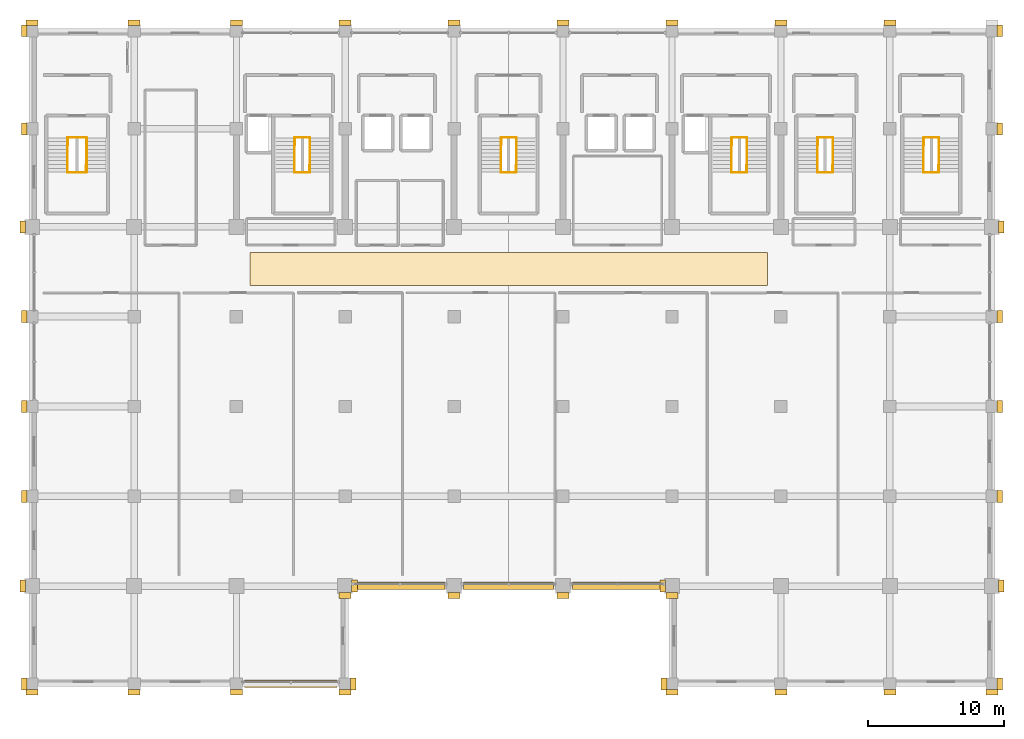
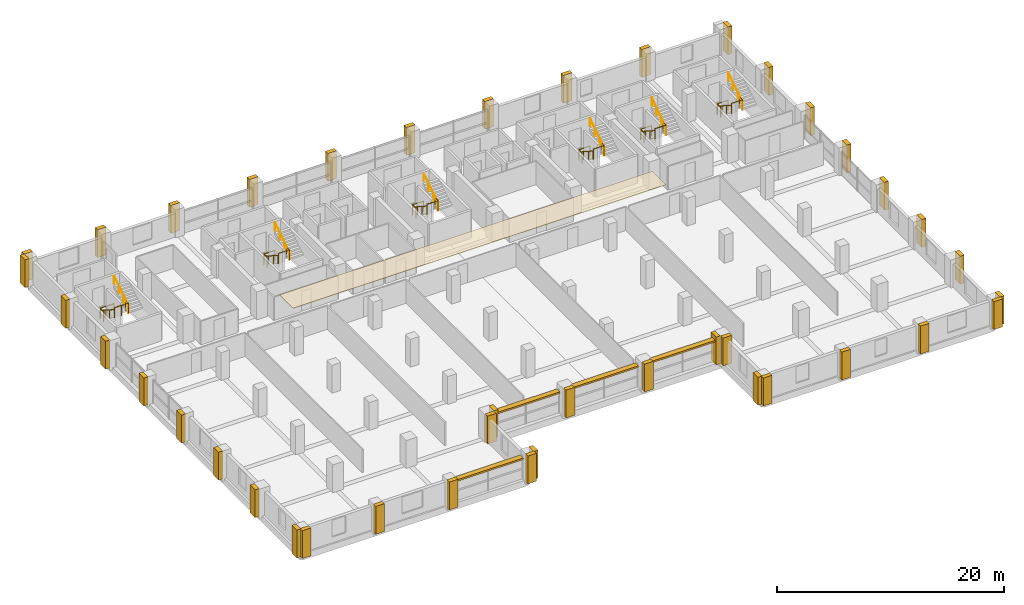
# One storey, part 21 of 22: 42 coverings, 24 railings, 4 shading devices.
"""IFC4 building model written with IfcOpenShell, lengths in metres."""

from ifc_helpers import new_model, si_unit, direction, frame, origin, origin_2d, place, context, subcontext, project, spatial, rectangle, circle, extrude, material, layer, layer_set, type_object, element, save


model = new_model("IFC4")

# Units and contexts
model_context = context("Model", 3, precision=1e-05, world=origin(), true_north=direction((0.0, 1.0)))
body_context = subcontext(model_context, "Body", "Model", "MODEL_VIEW")
ifc_project = project(units=[si_unit("LENGTHUNIT", "METRE"), si_unit("AREAUNIT", "SQUARE_METRE"), si_unit("VOLUMEUNIT", "CUBIC_METRE"), si_unit("PLANEANGLEUNIT", "RADIAN"), si_unit("MASSUNIT", "GRAM", prefix="KILO")], contexts=[model_context])

# Site, building, storey
site_placement = place(None, origin())
site = spatial("IfcSite", under=ifc_project, at=site_placement, CompositionType="ELEMENT")
building_placement = place(site_placement, origin())
building = spatial("IfcBuilding", under=site, at=building_placement, Name="Akrevak Sports Hall", CompositionType="ELEMENT")
storey_placement = place(building_placement, frame((0.0, 0.0, 30.800048828125)))
storey = spatial("IfcBuildingStorey", under=building, at=storey_placement, Name="L06", CompositionType="ELEMENT", Elevation=30.800048828125)

# Coverings
ifc_material_1 = material(Name="Acoustic Timber Slatted Baffle Ceiling", Category="wood")
ifc_layer_1 = layer(ifc_material_1, 0.050048828125, Name="Acoustic Timber Slatted Baffle Ceiling")
ifc_layer_set_1 = layer_set([ifc_layer_1], Name="Acoustic Timber Slatted Baffle Ceiling")
covering_type_1 = type_object("IfcCoveringType", Name="ARC-COV-CLG-BAFF", PredefinedType="CEILING", material=ifc_layer_set_1)
covering_placement = place(storey_placement, frame((80.0, 52.10009765625, 2.94970703125), z_axis=(0.0, 0.0, 1.0), x_axis=(1.0, 0.0, 0.0)))
element("IfcCovering", 1, at=covering_placement, inside=storey, type_object=covering_type_1, Name="Corridor Acoustic Ceiling L06", PredefinedType="CEILING", context=body_context, shape_type="SweptSolid", body=[
    extrude(rectangle(XDim=38.0, YDim=2.39990234375, at=origin_2d()), origin(), (0.0, 0.0, 1.0), 0.050048828125),
])
ifc_material_2 = material(Name="Limestone Ashlar", Category="stone")
ifc_layer_2 = layer(ifc_material_2, 0.47998046875, Name="Limestone Ashlar")
ifc_layer_set_2 = layer_set([ifc_layer_2], Name="Limestone Ashlar")
covering_type_2 = type_object("IfcCoveringType", Name="ARC-COV-PIL-LIM", PredefinedType="CLADDING", material=ifc_layer_set_2)
for number, where, z_axis, x_axis, name in (
    (2, (45.0, 21.02001953125, 0.0), (0.0, 0.0, 1.0), (1.0, 0.0, 0.0), "Giant-Order Limestone Pilaster L06-01-01"),
    (3, (52.5, 21.02001953125, 0.0), (0.0, 0.0, 1.0), (1.0, 0.0, 0.0), "Giant-Order Limestone Pilaster L06-01-02"),
    (4, (60.0, 21.02001953125, 0.0), (0.0, 0.0, 1.0), (1.0, 0.0, 0.0), "Giant-Order Limestone Pilaster L06-01-03"),
    (5, (68.0, 21.02001953125, 0.0), (0.0, 0.0, 1.0), (1.0, 0.0, 0.0), "Giant-Order Limestone Pilaster L06-01-04"),
    (6, (68.580078125, 21.60009765625, 0.0), (0.0, 0.0, 1.0), (0.0, 1.0, 0.0), "Giant-Order Limestone Pilaster L06-02-04"),
    (7, (68.679931640625, 28.800048828125, 0.0), (0.0, 0.0, 1.0), (0.0, 1.0, 0.0), "Giant-Order Limestone Pilaster L06-02-05"),
    (8, (68.0, 28.1201171875, 0.0), (0.0, 0.0, 1.0), (1.0, 0.0, 0.0), "Giant-Order Limestone Pilaster L06-03-05"),
    (9, (76.0, 28.1201171875, 0.0), (0.0, 0.0, 1.0), (1.0, 0.0, 0.0), "Giant-Order Limestone Pilaster L06-03-06"),
    (10, (84.0, 28.1201171875, 0.0), (0.0, 0.0, 1.0), (1.0, 0.0, 0.0), "Giant-Order Limestone Pilaster L06-03-07"),
    (11, (92.0, 28.1201171875, 0.0), (0.0, 0.0, 1.0), (1.0, 0.0, 0.0), "Giant-Order Limestone Pilaster L06-03-08"),
    (12, (91.419921875, 21.60009765625, 0.0), (0.0, 0.0, 1.0), (0.0, -1.0, 0.0), "Giant-Order Limestone Pilaster L06-04-09"),
    (13, (91.320068359375, 28.800048828125, 0.0), (0.0, 0.0, 1.0), (0.0, -1.0, 0.0), "Giant-Order Limestone Pilaster L06-04-09"),
    (14, (92.0, 21.02001953125, 0.0), (0.0, 0.0, 1.0), (1.0, 0.0, 0.0), "Giant-Order Limestone Pilaster L06-05-09"),
    (15, (100.0, 21.02001953125, 0.0), (0.0, 0.0, 1.0), (1.0, 0.0, 0.0), "Giant-Order Limestone Pilaster L06-05-10"),
    (16, (108.0, 21.02001953125, 0.0), (0.0, 0.0, 1.0), (1.0, 0.0, 0.0), "Giant-Order Limestone Pilaster L06-05-11"),
    (17, (115.5, 21.02001953125, 0.0), (0.0, 0.0, 1.0), (1.0, 0.0, 0.0), "Giant-Order Limestone Pilaster L06-05-12"),
    (18, (116.080078125, 21.60009765625, 0.0), (0.0, 0.0, 1.0), (0.0, 1.0, 0.0), "Giant-Order Limestone Pilaster L06-06-12"),
    (19, (116.179931640625, 28.800048828125, 0.0), (0.0, 0.0, 1.0), (0.0, 1.0, 0.0), "Giant-Order Limestone Pilaster L06-06-13"),
    (20, (116.080078125, 35.39990234375, 0.0), (0.0, 0.0, 1.0), (0.0, 1.0, 0.0), "Giant-Order Limestone Pilaster L06-06-14"),
    (21, (116.080078125, 42.0, 0.0), (0.0, 0.0, 1.0), (0.0, 1.0, 0.0), "Giant-Order Limestone Pilaster L06-06-15"),
    (22, (116.080078125, 48.60009765625, 0.0), (0.0, 0.0, 1.0), (0.0, 1.0, 0.0), "Giant-Order Limestone Pilaster L06-06-16"),
    (23, (116.179931640625, 55.199951171875, 0.0), (0.0, 0.0, 1.0), (0.0, 1.0, 0.0), "Giant-Order Limestone Pilaster L06-06-17"),
    (24, (116.080078125, 62.39990234375, 0.0), (0.0, 0.0, 1.0), (0.0, 1.0, 0.0), "Giant-Order Limestone Pilaster L06-06-18"),
    (25, (116.080078125, 69.60009765625, 0.0), (0.0, 0.0, 1.0), (0.0, 1.0, 0.0), "Giant-Order Limestone Pilaster L06-06-19"),
    (26, (45.0, 70.179931640625, 0.0), (0.0, 0.0, 1.0), (-1.0, 0.0, 0.0), "Giant-Order Limestone Pilaster L06-07-20"),
    (27, (52.5, 70.179931640625, 0.0), (0.0, 0.0, 1.0), (-1.0, 0.0, 0.0), "Giant-Order Limestone Pilaster L06-07-21"),
    (28, (60.0, 70.179931640625, 0.0), (0.0, 0.0, 1.0), (-1.0, 0.0, 0.0), "Giant-Order Limestone Pilaster L06-07-22"),
    (29, (68.0, 70.179931640625, 0.0), (0.0, 0.0, 1.0), (-1.0, 0.0, 0.0), "Giant-Order Limestone Pilaster L06-07-23"),
    (30, (76.0, 70.179931640625, 0.0), (0.0, 0.0, 1.0), (-1.0, 0.0, 0.0), "Giant-Order Limestone Pilaster L06-07-24"),
    (31, (84.0, 70.179931640625, 0.0), (0.0, 0.0, 1.0), (-1.0, 0.0, 0.0), "Giant-Order Limestone Pilaster L06-07-25"),
    (32, (92.0, 70.179931640625, 0.0), (0.0, 0.0, 1.0), (-1.0, 0.0, 0.0), "Giant-Order Limestone Pilaster L06-07-26"),
    (33, (100.0, 70.179931640625, 0.0), (0.0, 0.0, 1.0), (-1.0, 0.0, 0.0), "Giant-Order Limestone Pilaster L06-07-27"),
    (34, (108.0, 70.179931640625, 0.0), (0.0, 0.0, 1.0), (-1.0, 0.0, 0.0), "Giant-Order Limestone Pilaster L06-07-28"),
    (35, (44.419921875, 21.60009765625, 0.0), (0.0, 0.0, 1.0), (0.0, -1.0, 0.0), "Giant-Order Limestone Pilaster L06-08-28"),
    (36, (44.320068359375, 28.800048828125, 0.0), (0.0, 0.0, 1.0), (0.0, -1.0, 0.0), "Giant-Order Limestone Pilaster L06-08-29"),
    (37, (44.419921875, 35.39990234375, 0.0), (0.0, 0.0, 1.0), (0.0, -1.0, 0.0), "Giant-Order Limestone Pilaster L06-08-30"),
    (38, (44.419921875, 42.0, 0.0), (0.0, 0.0, 1.0), (0.0, -1.0, 0.0), "Giant-Order Limestone Pilaster L06-08-31"),
    (39, (44.419921875, 48.60009765625, 0.0), (0.0, 0.0, 1.0), (0.0, -1.0, 0.0), "Giant-Order Limestone Pilaster L06-08-32"),
    (40, (44.320068359375, 55.199951171875, 0.0), (0.0, 0.0, 1.0), (0.0, -1.0, 0.0), "Giant-Order Limestone Pilaster L06-08-33"),
    (41, (44.419921875, 62.39990234375, 0.0), (0.0, 0.0, 1.0), (0.0, -1.0, 0.0), "Giant-Order Limestone Pilaster L06-08-34"),
    (42, (44.419921875, 69.60009765625, 0.0), (0.0, 0.0, 1.0), (0.0, -1.0, 0.0), "Giant-Order Limestone Pilaster L06-08-34"),
):
    element("IfcCovering", number, at=place(storey_placement, frame(where, z_axis=z_axis, x_axis=x_axis)), inside=storey, type_object=covering_type_2, Name=name, PredefinedType="CLADDING", context=body_context, shape_type="SweptSolid", body=[
        extrude(rectangle(XDim=0.8798828125, YDim=0.419921875, at=origin_2d()), origin(), (0.0, 0.0, 1.0), 3.0),
    ])

# Railings
ifc_material_3 = material(Name="Painted Architectural Balustrade Steel", Category="steel")
ifc_layer_3 = layer(ifc_material_3, 0.06005859375, Name="Painted Architectural Balustrade Steel")
ifc_layer_set_3 = layer_set([ifc_layer_3], Name="Painted Architectural Balustrade Steel")
railing_type_1 = type_object("IfcRailingType", Name="ARC-RL-GRD-1120", PredefinedType="GUARDRAIL", material=ifc_layer_set_3)
railing_1_placement = place(storey_placement, frame((64.31005859375, 61.215087890625, 0.0)))
element("IfcRailing", 43, at=railing_1_placement, inside=storey, type_object=railing_type_1, Name="Stair Floor Landing Well Guard ST1 (L06)", PredefinedType="GUARDRAIL", context=body_context, shape_type="SweptSolid", body=[
    extrude(circle(Radius=0.02392578125, at=origin_2d()), frame((0.0, 0.0, 1.09619140625), z_axis=(0.0, 1.0, 0.0), x_axis=(-1.0, 0.0, 0.0)), (0.0, 0.0, 1.0), 0.5498046875),
    extrude(circle(Radius=0.02392578125, at=origin_2d()), frame((0.0, 0.5498046875, 1.09619140625), z_axis=(1.0, 0.0, 0.0), x_axis=(0.0, 1.0, 0.0)), (0.0, 0.0, 1.0), 1.10986328125),
    extrude(circle(Radius=0.02099609375, at=origin_2d()), origin(), (0.0, 0.0, 1.0), 1.072021484375),
    extrude(circle(Radius=0.02099609375, at=origin_2d()), frame((0.0, 0.5498046875, 0.0)), (0.0, 0.0, 1.0), 1.072021484375),
    extrude(circle(Radius=0.02099609375, at=origin_2d()), frame((1.10986328125, 0.5498046875, 0.0)), (0.0, 0.0, 1.0), 1.072021484375),
])
railing_2_placement = place(storey_placement, frame((64.280029296875, 59.18505859375, 1.625)))
element("IfcRailing", 44, at=railing_2_placement, inside=storey, type_object=railing_type_1, Name="Stair Landing Well Guard ST1-L06-1", PredefinedType="GUARDRAIL", context=body_context, shape_type="SweptSolid", body=[
    extrude(circle(Radius=0.02392578125, at=origin_2d()), frame((0.0, 0.0, 1.09619140625), z_axis=(1.0, 0.0, 0.0), x_axis=(0.0, 1.0, 0.0)), (0.0, 0.0, 1.0), 1.10986328125),
    extrude(circle(Radius=0.02392578125, at=origin_2d()), frame((1.10986328125, 0.0, 1.09619140625), z_axis=(0.0, 1.0, 0.0), x_axis=(-1.0, 0.0, 0.0)), (0.0, 0.0, 1.0), 0.52001953125),
    extrude(circle(Radius=0.02099609375, at=origin_2d()), origin(), (0.0, 0.0, 1.0), 1.072021484375),
    extrude(circle(Radius=0.02099609375, at=origin_2d()), frame((1.10986328125, 0.0, 0.0)), (0.0, 0.0, 1.0), 1.072021484375),
    extrude(circle(Radius=0.02099609375, at=origin_2d()), frame((1.10986328125, 0.52001953125, 0.0)), (0.0, 0.0, 1.0), 1.072021484375),
])
railing_3_placement = place(storey_placement, frame((96.409912109375, 61.215087890625, 0.0)))
element("IfcRailing", 45, at=railing_3_placement, inside=storey, type_object=railing_type_1, Name="Stair Floor Landing Well Guard ST2 (L06)", PredefinedType="GUARDRAIL", context=body_context, shape_type="SweptSolid", body=[
    extrude(circle(Radius=0.02392578125, at=origin_2d()), frame((0.0, 0.0, 1.09619140625), z_axis=(0.0, 1.0, 0.0), x_axis=(-1.0, 0.0, 0.0)), (0.0, 0.0, 1.0), 0.5498046875),
    extrude(circle(Radius=0.02392578125, at=origin_2d()), frame((0.0, 0.5498046875, 1.09619140625), z_axis=(1.0, 0.0, 0.0), x_axis=(0.0, 1.0, 0.0)), (0.0, 0.0, 1.0), 1.110107421875),
    extrude(circle(Radius=0.02099609375, at=origin_2d()), origin(), (0.0, 0.0, 1.0), 1.072021484375),
    extrude(circle(Radius=0.02099609375, at=origin_2d()), frame((0.0, 0.5498046875, 0.0)), (0.0, 0.0, 1.0), 1.072021484375),
    extrude(circle(Radius=0.02099609375, at=origin_2d()), frame((1.110107421875, 0.5498046875, 0.0)), (0.0, 0.0, 1.0), 1.072021484375),
])
railing_4_placement = place(storey_placement, frame((96.3798828125, 59.18505859375, 1.625)))
element("IfcRailing", 46, at=railing_4_placement, inside=storey, type_object=railing_type_1, Name="Stair Landing Well Guard ST2-L06-1", PredefinedType="GUARDRAIL", context=body_context, shape_type="SweptSolid", body=[
    extrude(circle(Radius=0.02392578125, at=origin_2d()), frame((0.0, 0.0, 1.09619140625), z_axis=(1.0, 0.0, 0.0), x_axis=(0.0, 1.0, 0.0)), (0.0, 0.0, 1.0), 1.110107421875),
    extrude(circle(Radius=0.02392578125, at=origin_2d()), frame((1.110107421875, 0.0, 1.09619140625), z_axis=(0.0, 1.0, 0.0), x_axis=(-1.0, 0.0, 0.0)), (0.0, 0.0, 1.0), 0.52001953125),
    extrude(circle(Radius=0.02099609375, at=origin_2d()), origin(), (0.0, 0.0, 1.0), 1.072021484375),
    extrude(circle(Radius=0.02099609375, at=origin_2d()), frame((1.110107421875, 0.0, 0.0)), (0.0, 0.0, 1.0), 1.072021484375),
    extrude(circle(Radius=0.02099609375, at=origin_2d()), frame((1.110107421875, 0.52001953125, 0.0)), (0.0, 0.0, 1.0), 1.072021484375),
])
railing_5_placement = place(storey_placement, frame((79.4599609375, 61.215087890625, 0.0)))
element("IfcRailing", 47, at=railing_5_placement, inside=storey, type_object=railing_type_1, Name="Stair Floor Landing Well Guard ST3 (L06)", PredefinedType="GUARDRAIL", context=body_context, shape_type="SweptSolid", body=[
    extrude(circle(Radius=0.02392578125, at=origin_2d()), frame((0.0, 0.0, 1.09619140625), z_axis=(0.0, 1.0, 0.0), x_axis=(-1.0, 0.0, 0.0)), (0.0, 0.0, 1.0), 0.5498046875),
    extrude(circle(Radius=0.02392578125, at=origin_2d()), frame((0.0, 0.5498046875, 1.09619140625), z_axis=(1.0, 0.0, 0.0), x_axis=(0.0, 1.0, 0.0)), (0.0, 0.0, 1.0), 1.110107421875),
    extrude(circle(Radius=0.02099609375, at=origin_2d()), origin(), (0.0, 0.0, 1.0), 1.072021484375),
    extrude(circle(Radius=0.02099609375, at=origin_2d()), frame((0.0, 0.5498046875, 0.0)), (0.0, 0.0, 1.0), 1.072021484375),
    extrude(circle(Radius=0.02099609375, at=origin_2d()), frame((1.110107421875, 0.5498046875, 0.0)), (0.0, 0.0, 1.0), 1.072021484375),
])
railing_6_placement = place(storey_placement, frame((79.429931640625, 59.18505859375, 1.625)))
element("IfcRailing", 48, at=railing_6_placement, inside=storey, type_object=railing_type_1, Name="Stair Landing Well Guard ST3-L06-1", PredefinedType="GUARDRAIL", context=body_context, shape_type="SweptSolid", body=[
    extrude(circle(Radius=0.02392578125, at=origin_2d()), frame((0.0, 0.0, 1.09619140625), z_axis=(1.0, 0.0, 0.0), x_axis=(0.0, 1.0, 0.0)), (0.0, 0.0, 1.0), 1.110107421875),
    extrude(circle(Radius=0.02392578125, at=origin_2d()), frame((1.110107421875, 0.0, 1.09619140625), z_axis=(0.0, 1.0, 0.0), x_axis=(-1.0, 0.0, 0.0)), (0.0, 0.0, 1.0), 0.52001953125),
    extrude(circle(Radius=0.02099609375, at=origin_2d()), origin(), (0.0, 0.0, 1.0), 1.072021484375),
    extrude(circle(Radius=0.02099609375, at=origin_2d()), frame((1.110107421875, 0.0, 0.0)), (0.0, 0.0, 1.0), 1.072021484375),
    extrude(circle(Radius=0.02099609375, at=origin_2d()), frame((1.110107421875, 0.52001953125, 0.0)), (0.0, 0.0, 1.0), 1.072021484375),
])
railing_7_placement = place(storey_placement, frame((47.6201171875, 61.215087890625, 0.0)))
element("IfcRailing", 49, at=railing_7_placement, inside=storey, type_object=railing_type_1, Name="Stair Floor Landing Well Guard ST4 (L06)", PredefinedType="GUARDRAIL", context=body_context, shape_type="SweptSolid", body=[
    extrude(circle(Radius=0.02392578125, at=origin_2d()), frame((0.0, 0.0, 1.09619140625), z_axis=(0.0, 1.0, 0.0), x_axis=(-1.0, 0.0, 0.0)), (0.0, 0.0, 1.0), 0.5498046875),
    extrude(circle(Radius=0.02392578125, at=origin_2d()), frame((0.0, 0.5498046875, 1.09619140625), z_axis=(1.0, 0.0, 0.0), x_axis=(0.0, 1.0, 0.0)), (0.0, 0.0, 1.0), 1.389892578125),
    extrude(circle(Radius=0.02099609375, at=origin_2d()), origin(), (0.0, 0.0, 1.0), 1.072021484375),
    extrude(circle(Radius=0.02099609375, at=origin_2d()), frame((0.0, 0.5498046875, 0.0)), (0.0, 0.0, 1.0), 1.072021484375),
    extrude(circle(Radius=0.02099609375, at=origin_2d()), frame((0.69482421875, 0.5498046875, 0.0)), (0.0, 0.0, 1.0), 1.072021484375),
    extrude(circle(Radius=0.02099609375, at=origin_2d()), frame((1.389892578125, 0.5498046875, 0.0)), (0.0, 0.0, 1.0), 1.072021484375),
])
railing_8_placement = place(storey_placement, frame((47.590087890625, 59.18505859375, 1.625)))
element("IfcRailing", 50, at=railing_8_placement, inside=storey, type_object=railing_type_1, Name="Stair Landing Well Guard ST4-L06-1", PredefinedType="GUARDRAIL", context=body_context, shape_type="SweptSolid", body=[
    extrude(circle(Radius=0.02392578125, at=origin_2d()), frame((0.0, 0.0, 1.09619140625), z_axis=(1.0, 0.0, 0.0), x_axis=(0.0, 1.0, 0.0)), (0.0, 0.0, 1.0), 1.389892578125),
    extrude(circle(Radius=0.02392578125, at=origin_2d()), frame((1.389892578125, 0.0, 1.09619140625), z_axis=(0.0, 1.0, 0.0), x_axis=(-1.0, 0.0, 0.0)), (0.0, 0.0, 1.0), 0.52001953125),
    extrude(circle(Radius=0.02099609375, at=origin_2d()), origin(), (0.0, 0.0, 1.0), 1.072021484375),
    extrude(circle(Radius=0.02099609375, at=origin_2d()), frame((0.69482421875, 0.0, 0.0)), (0.0, 0.0, 1.0), 1.072021484375),
    extrude(circle(Radius=0.02099609375, at=origin_2d()), frame((1.389892578125, 0.0, 0.0)), (0.0, 0.0, 1.0), 1.072021484375),
    extrude(circle(Radius=0.02099609375, at=origin_2d()), frame((1.389892578125, 0.52001953125, 0.0)), (0.0, 0.0, 1.0), 1.072021484375),
])
railing_9_placement = place(storey_placement, frame((102.7099609375, 61.215087890625, 0.0)))
element("IfcRailing", 51, at=railing_9_placement, inside=storey, type_object=railing_type_1, Name="Stair Floor Landing Well Guard ST10 (L06)", PredefinedType="GUARDRAIL", context=body_context, shape_type="SweptSolid", body=[
    extrude(circle(Radius=0.02392578125, at=origin_2d()), frame((0.0, 0.0, 1.09619140625), z_axis=(0.0, 1.0, 0.0), x_axis=(-1.0, 0.0, 0.0)), (0.0, 0.0, 1.0), 0.5498046875),
    extrude(circle(Radius=0.02392578125, at=origin_2d()), frame((0.0, 0.5498046875, 1.09619140625), z_axis=(1.0, 0.0, 0.0), x_axis=(0.0, 1.0, 0.0)), (0.0, 0.0, 1.0), 1.110107421875),
    extrude(circle(Radius=0.02099609375, at=origin_2d()), origin(), (0.0, 0.0, 1.0), 1.072021484375),
    extrude(circle(Radius=0.02099609375, at=origin_2d()), frame((0.0, 0.5498046875, 0.0)), (0.0, 0.0, 1.0), 1.072021484375),
    extrude(circle(Radius=0.02099609375, at=origin_2d()), frame((1.110107421875, 0.5498046875, 0.0)), (0.0, 0.0, 1.0), 1.072021484375),
])
railing_10_placement = place(storey_placement, frame((102.679931640625, 59.18505859375, 1.625)))
element("IfcRailing", 52, at=railing_10_placement, inside=storey, type_object=railing_type_1, Name="Stair Landing Well Guard ST10-L06-1", PredefinedType="GUARDRAIL", context=body_context, shape_type="SweptSolid", body=[
    extrude(circle(Radius=0.02392578125, at=origin_2d()), frame((0.0, 0.0, 1.09619140625), z_axis=(1.0, 0.0, 0.0), x_axis=(0.0, 1.0, 0.0)), (0.0, 0.0, 1.0), 1.110107421875),
    extrude(circle(Radius=0.02392578125, at=origin_2d()), frame((1.110107421875, 0.0, 1.09619140625), z_axis=(0.0, 1.0, 0.0), x_axis=(-1.0, 0.0, 0.0)), (0.0, 0.0, 1.0), 0.52001953125),
    extrude(circle(Radius=0.02099609375, at=origin_2d()), origin(), (0.0, 0.0, 1.0), 1.072021484375),
    extrude(circle(Radius=0.02099609375, at=origin_2d()), frame((1.110107421875, 0.0, 0.0)), (0.0, 0.0, 1.0), 1.072021484375),
    extrude(circle(Radius=0.02099609375, at=origin_2d()), frame((1.110107421875, 0.52001953125, 0.0)), (0.0, 0.0, 1.0), 1.072021484375),
])
railing_11_placement = place(storey_placement, frame((110.510009765625, 61.215087890625, 0.0)))
element("IfcRailing", 53, at=railing_11_placement, inside=storey, type_object=railing_type_1, Name="Stair Floor Landing Well Guard ST11 (L06)", PredefinedType="GUARDRAIL", context=body_context, shape_type="SweptSolid", body=[
    extrude(circle(Radius=0.02392578125, at=origin_2d()), frame((0.0, 0.0, 1.09619140625), z_axis=(0.0, 1.0, 0.0), x_axis=(-1.0, 0.0, 0.0)), (0.0, 0.0, 1.0), 0.5498046875),
    extrude(circle(Radius=0.02392578125, at=origin_2d()), frame((0.0, 0.5498046875, 1.09619140625), z_axis=(1.0, 0.0, 0.0), x_axis=(0.0, 1.0, 0.0)), (0.0, 0.0, 1.0), 1.110107421875),
    extrude(circle(Radius=0.02099609375, at=origin_2d()), origin(), (0.0, 0.0, 1.0), 1.072021484375),
    extrude(circle(Radius=0.02099609375, at=origin_2d()), frame((0.0, 0.5498046875, 0.0)), (0.0, 0.0, 1.0), 1.072021484375),
    extrude(circle(Radius=0.02099609375, at=origin_2d()), frame((1.110107421875, 0.5498046875, 0.0)), (0.0, 0.0, 1.0), 1.072021484375),
])
railing_12_placement = place(storey_placement, frame((110.47998046875, 59.18505859375, 1.625)))
element("IfcRailing", 54, at=railing_12_placement, inside=storey, type_object=railing_type_1, Name="Stair Landing Well Guard ST11-L06-1", PredefinedType="GUARDRAIL", context=body_context, shape_type="SweptSolid", body=[
    extrude(circle(Radius=0.02392578125, at=origin_2d()), frame((0.0, 0.0, 1.09619140625), z_axis=(1.0, 0.0, 0.0), x_axis=(0.0, 1.0, 0.0)), (0.0, 0.0, 1.0), 1.110107421875),
    extrude(circle(Radius=0.02392578125, at=origin_2d()), frame((1.110107421875, 0.0, 1.09619140625), z_axis=(0.0, 1.0, 0.0), x_axis=(-1.0, 0.0, 0.0)), (0.0, 0.0, 1.0), 0.52001953125),
    extrude(circle(Radius=0.02099609375, at=origin_2d()), origin(), (0.0, 0.0, 1.0), 1.072021484375),
    extrude(circle(Radius=0.02099609375, at=origin_2d()), frame((1.110107421875, 0.0, 0.0)), (0.0, 0.0, 1.0), 1.072021484375),
    extrude(circle(Radius=0.02099609375, at=origin_2d()), frame((1.110107421875, 0.52001953125, 0.0)), (0.0, 0.0, 1.0), 1.072021484375),
])
ifc_material_4 = material(Name="Brushed Stainless Steel 304", Category="steel")
ifc_layer_4 = layer(ifc_material_4, 0.050048828125, Name="Brushed Stainless Steel 304")
ifc_layer_set_4 = layer_set([ifc_layer_4], Name="Brushed Stainless Steel 304")
railing_type_2 = type_object("IfcRailingType", Name="ARC-RL-HND-900", PredefinedType="HANDRAIL", material=ifc_layer_set_4)
railing_13_placement = place(storey_placement, frame((64.280029296875, 61.735107421875, 0.0)))
element("IfcRailing", 55, at=railing_13_placement, inside=storey, type_object=railing_type_2, Name="Stair Handrail ST1-L06-F1", PredefinedType="HANDRAIL", context=body_context, shape_type="SweptSolid", body=[
    extrude(circle(Radius=0.02392578125, at=origin_2d()), frame((0.0, 0.0, 0.8759765625), z_axis=(0.0, -0.840421059866, 0.541933983188), x_axis=(1.0, 0.0, 0.0)), (0.0, 0.0, 1.0), 2.99853515625),
    extrude(circle(Radius=0.02099609375, at=origin_2d()), origin(), (0.0, 0.0, 1.0), 0.851806640625),
    extrude(circle(Radius=0.02099609375, at=origin_2d()), frame((0.0, -0.840087890625, 0.541748046875)), (0.0, 0.0, 1.0), 0.851806640625),
    extrude(circle(Radius=0.02099609375, at=origin_2d()), frame((0.0, -1.679931640625, 1.083251953125)), (0.0, 0.0, 1.0), 0.851806640625),
    extrude(circle(Radius=0.02099609375, at=origin_2d()), frame((0.0, -2.52001953125, 1.625)), (0.0, 0.0, 1.0), 0.851806640625),
])
railing_14_placement = place(storey_placement, frame((65.419921875, 59.215087890625, 1.625)))
element("IfcRailing", 56, at=railing_14_placement, inside=storey, type_object=railing_type_2, Name="Stair Handrail ST1-L06-F2", PredefinedType="HANDRAIL", context=body_context, shape_type="SweptSolid", body=[
    extrude(circle(Radius=0.02392578125, at=origin_2d()), frame((0.0, 0.0, 0.8759765625), z_axis=(0.0, 0.840421059866, 0.541933983188), x_axis=(-1.0, 0.0, 0.0)), (0.0, 0.0, 1.0), 2.99853515625),
    extrude(circle(Radius=0.02099609375, at=origin_2d()), origin(), (0.0, 0.0, 1.0), 0.851806640625),
    extrude(circle(Radius=0.02099609375, at=origin_2d()), frame((0.0, 0.840087890625, 0.541748046875)), (0.0, 0.0, 1.0), 0.851806640625),
    extrude(circle(Radius=0.02099609375, at=origin_2d()), frame((0.0, 1.679931640625, 1.083251953125)), (0.0, 0.0, 1.0), 0.851806640625),
    extrude(circle(Radius=0.02099609375, at=origin_2d()), frame((0.0, 2.52001953125, 1.625)), (0.0, 0.0, 1.0), 0.851806640625),
])
railing_15_placement = place(storey_placement, frame((96.3798828125, 61.735107421875, 0.0)))
element("IfcRailing", 57, at=railing_15_placement, inside=storey, type_object=railing_type_2, Name="Stair Handrail ST2-L06-F1", PredefinedType="HANDRAIL", context=body_context, shape_type="SweptSolid", body=[
    extrude(circle(Radius=0.02392578125, at=origin_2d()), frame((0.0, 0.0, 0.8759765625), z_axis=(0.0, -0.840421059866, 0.541933983188), x_axis=(1.0, 0.0, 0.0)), (0.0, 0.0, 1.0), 2.99853515625),
    extrude(circle(Radius=0.02099609375, at=origin_2d()), origin(), (0.0, 0.0, 1.0), 0.851806640625),
    extrude(circle(Radius=0.02099609375, at=origin_2d()), frame((0.0, -0.840087890625, 0.541748046875)), (0.0, 0.0, 1.0), 0.851806640625),
    extrude(circle(Radius=0.02099609375, at=origin_2d()), frame((0.0, -1.679931640625, 1.083251953125)), (0.0, 0.0, 1.0), 0.851806640625),
    extrude(circle(Radius=0.02099609375, at=origin_2d()), frame((0.0, -2.52001953125, 1.625)), (0.0, 0.0, 1.0), 0.851806640625),
])
railing_16_placement = place(storey_placement, frame((97.52001953125, 59.215087890625, 1.625)))
element("IfcRailing", 58, at=railing_16_placement, inside=storey, type_object=railing_type_2, Name="Stair Handrail ST2-L06-F2", PredefinedType="HANDRAIL", context=body_context, shape_type="SweptSolid", body=[
    extrude(circle(Radius=0.02392578125, at=origin_2d()), frame((0.0, 0.0, 0.8759765625), z_axis=(0.0, 0.840421059866, 0.541933983188), x_axis=(-1.0, 0.0, 0.0)), (0.0, 0.0, 1.0), 2.99853515625),
    extrude(circle(Radius=0.02099609375, at=origin_2d()), origin(), (0.0, 0.0, 1.0), 0.851806640625),
    extrude(circle(Radius=0.02099609375, at=origin_2d()), frame((0.0, 0.840087890625, 0.541748046875)), (0.0, 0.0, 1.0), 0.851806640625),
    extrude(circle(Radius=0.02099609375, at=origin_2d()), frame((0.0, 1.679931640625, 1.083251953125)), (0.0, 0.0, 1.0), 0.851806640625),
    extrude(circle(Radius=0.02099609375, at=origin_2d()), frame((0.0, 2.52001953125, 1.625)), (0.0, 0.0, 1.0), 0.851806640625),
])
railing_17_placement = place(storey_placement, frame((79.429931640625, 61.735107421875, 0.0)))
element("IfcRailing", 59, at=railing_17_placement, inside=storey, type_object=railing_type_2, Name="Stair Handrail ST3-L06-F1", PredefinedType="HANDRAIL", context=body_context, shape_type="SweptSolid", body=[
    extrude(circle(Radius=0.02392578125, at=origin_2d()), frame((0.0, 0.0, 0.8759765625), z_axis=(0.0, -0.840421059866, 0.541933983188), x_axis=(1.0, 0.0, 0.0)), (0.0, 0.0, 1.0), 2.99853515625),
    extrude(circle(Radius=0.02099609375, at=origin_2d()), origin(), (0.0, 0.0, 1.0), 0.851806640625),
    extrude(circle(Radius=0.02099609375, at=origin_2d()), frame((0.0, -0.840087890625, 0.541748046875)), (0.0, 0.0, 1.0), 0.851806640625),
    extrude(circle(Radius=0.02099609375, at=origin_2d()), frame((0.0, -1.679931640625, 1.083251953125)), (0.0, 0.0, 1.0), 0.851806640625),
    extrude(circle(Radius=0.02099609375, at=origin_2d()), frame((0.0, -2.52001953125, 1.625)), (0.0, 0.0, 1.0), 0.851806640625),
])
railing_18_placement = place(storey_placement, frame((80.570068359375, 59.215087890625, 1.625)))
element("IfcRailing", 60, at=railing_18_placement, inside=storey, type_object=railing_type_2, Name="Stair Handrail ST3-L06-F2", PredefinedType="HANDRAIL", context=body_context, shape_type="SweptSolid", body=[
    extrude(circle(Radius=0.02392578125, at=origin_2d()), frame((0.0, 0.0, 0.8759765625), z_axis=(0.0, 0.840421059866, 0.541933983188), x_axis=(-1.0, 0.0, 0.0)), (0.0, 0.0, 1.0), 2.99853515625),
    extrude(circle(Radius=0.02099609375, at=origin_2d()), origin(), (0.0, 0.0, 1.0), 0.851806640625),
    extrude(circle(Radius=0.02099609375, at=origin_2d()), frame((0.0, 0.840087890625, 0.541748046875)), (0.0, 0.0, 1.0), 0.851806640625),
    extrude(circle(Radius=0.02099609375, at=origin_2d()), frame((0.0, 1.679931640625, 1.083251953125)), (0.0, 0.0, 1.0), 0.851806640625),
    extrude(circle(Radius=0.02099609375, at=origin_2d()), frame((0.0, 2.52001953125, 1.625)), (0.0, 0.0, 1.0), 0.851806640625),
])
railing_19_placement = place(storey_placement, frame((47.590087890625, 61.735107421875, 0.0)))
element("IfcRailing", 61, at=railing_19_placement, inside=storey, type_object=railing_type_2, Name="Stair Handrail ST4-L06-F1", PredefinedType="HANDRAIL", context=body_context, shape_type="SweptSolid", body=[
    extrude(circle(Radius=0.02392578125, at=origin_2d()), frame((0.0, 0.0, 0.8759765625), z_axis=(0.0, -0.840421059866, 0.541933983188), x_axis=(1.0, 0.0, 0.0)), (0.0, 0.0, 1.0), 2.99853515625),
    extrude(circle(Radius=0.02099609375, at=origin_2d()), origin(), (0.0, 0.0, 1.0), 0.851806640625),
    extrude(circle(Radius=0.02099609375, at=origin_2d()), frame((0.0, -0.840087890625, 0.541748046875)), (0.0, 0.0, 1.0), 0.851806640625),
    extrude(circle(Radius=0.02099609375, at=origin_2d()), frame((0.0, -1.679931640625, 1.083251953125)), (0.0, 0.0, 1.0), 0.851806640625),
    extrude(circle(Radius=0.02099609375, at=origin_2d()), frame((0.0, -2.52001953125, 1.625)), (0.0, 0.0, 1.0), 0.851806640625),
])
railing_20_placement = place(storey_placement, frame((49.010009765625, 59.215087890625, 1.625)))
element("IfcRailing", 62, at=railing_20_placement, inside=storey, type_object=railing_type_2, Name="Stair Handrail ST4-L06-F2", PredefinedType="HANDRAIL", context=body_context, shape_type="SweptSolid", body=[
    extrude(circle(Radius=0.02392578125, at=origin_2d()), frame((0.0, 0.0, 0.8759765625), z_axis=(0.0, 0.840421059866, 0.541933983188), x_axis=(-1.0, 0.0, 0.0)), (0.0, 0.0, 1.0), 2.99853515625),
    extrude(circle(Radius=0.02099609375, at=origin_2d()), origin(), (0.0, 0.0, 1.0), 0.851806640625),
    extrude(circle(Radius=0.02099609375, at=origin_2d()), frame((0.0, 0.840087890625, 0.541748046875)), (0.0, 0.0, 1.0), 0.851806640625),
    extrude(circle(Radius=0.02099609375, at=origin_2d()), frame((0.0, 1.679931640625, 1.083251953125)), (0.0, 0.0, 1.0), 0.851806640625),
    extrude(circle(Radius=0.02099609375, at=origin_2d()), frame((0.0, 2.52001953125, 1.625)), (0.0, 0.0, 1.0), 0.851806640625),
])
railing_21_placement = place(storey_placement, frame((102.679931640625, 61.735107421875, 0.0)))
element("IfcRailing", 63, at=railing_21_placement, inside=storey, type_object=railing_type_2, Name="Stair Handrail ST10-L06-F1", PredefinedType="HANDRAIL", context=body_context, shape_type="SweptSolid", body=[
    extrude(circle(Radius=0.02392578125, at=origin_2d()), frame((0.0, 0.0, 0.8759765625), z_axis=(0.0, -0.840421059866, 0.541933983188), x_axis=(1.0, 0.0, 0.0)), (0.0, 0.0, 1.0), 2.99853515625),
    extrude(circle(Radius=0.02099609375, at=origin_2d()), origin(), (0.0, 0.0, 1.0), 0.851806640625),
    extrude(circle(Radius=0.02099609375, at=origin_2d()), frame((0.0, -0.840087890625, 0.541748046875)), (0.0, 0.0, 1.0), 0.851806640625),
    extrude(circle(Radius=0.02099609375, at=origin_2d()), frame((0.0, -1.679931640625, 1.083251953125)), (0.0, 0.0, 1.0), 0.851806640625),
    extrude(circle(Radius=0.02099609375, at=origin_2d()), frame((0.0, -2.52001953125, 1.625)), (0.0, 0.0, 1.0), 0.851806640625),
])
railing_22_placement = place(storey_placement, frame((103.820068359375, 59.215087890625, 1.625)))
element("IfcRailing", 64, at=railing_22_placement, inside=storey, type_object=railing_type_2, Name="Stair Handrail ST10-L06-F2", PredefinedType="HANDRAIL", context=body_context, shape_type="SweptSolid", body=[
    extrude(circle(Radius=0.02392578125, at=origin_2d()), frame((0.0, 0.0, 0.8759765625), z_axis=(0.0, 0.840421059866, 0.541933983188), x_axis=(-1.0, 0.0, 0.0)), (0.0, 0.0, 1.0), 2.99853515625),
    extrude(circle(Radius=0.02099609375, at=origin_2d()), origin(), (0.0, 0.0, 1.0), 0.851806640625),
    extrude(circle(Radius=0.02099609375, at=origin_2d()), frame((0.0, 0.840087890625, 0.541748046875)), (0.0, 0.0, 1.0), 0.851806640625),
    extrude(circle(Radius=0.02099609375, at=origin_2d()), frame((0.0, 1.679931640625, 1.083251953125)), (0.0, 0.0, 1.0), 0.851806640625),
    extrude(circle(Radius=0.02099609375, at=origin_2d()), frame((0.0, 2.52001953125, 1.625)), (0.0, 0.0, 1.0), 0.851806640625),
])
railing_23_placement = place(storey_placement, frame((110.47998046875, 61.735107421875, 0.0)))
element("IfcRailing", 65, at=railing_23_placement, inside=storey, type_object=railing_type_2, Name="Stair Handrail ST11-L06-F1", PredefinedType="HANDRAIL", context=body_context, shape_type="SweptSolid", body=[
    extrude(circle(Radius=0.02392578125, at=origin_2d()), frame((0.0, 0.0, 0.8759765625), z_axis=(0.0, -0.840421059866, 0.541933983188), x_axis=(1.0, 0.0, 0.0)), (0.0, 0.0, 1.0), 2.99853515625),
    extrude(circle(Radius=0.02099609375, at=origin_2d()), origin(), (0.0, 0.0, 1.0), 0.851806640625),
    extrude(circle(Radius=0.02099609375, at=origin_2d()), frame((0.0, -0.840087890625, 0.541748046875)), (0.0, 0.0, 1.0), 0.851806640625),
    extrude(circle(Radius=0.02099609375, at=origin_2d()), frame((0.0, -1.679931640625, 1.083251953125)), (0.0, 0.0, 1.0), 0.851806640625),
    extrude(circle(Radius=0.02099609375, at=origin_2d()), frame((0.0, -2.52001953125, 1.625)), (0.0, 0.0, 1.0), 0.851806640625),
])
railing_24_placement = place(storey_placement, frame((111.6201171875, 59.215087890625, 1.625)))
element("IfcRailing", 66, at=railing_24_placement, inside=storey, type_object=railing_type_2, Name="Stair Handrail ST11-L06-F2", PredefinedType="HANDRAIL", context=body_context, shape_type="SweptSolid", body=[
    extrude(circle(Radius=0.02392578125, at=origin_2d()), frame((0.0, 0.0, 0.8759765625), z_axis=(0.0, 0.840421059866, 0.541933983188), x_axis=(-1.0, 0.0, 0.0)), (0.0, 0.0, 1.0), 2.99853515625),
    extrude(circle(Radius=0.02099609375, at=origin_2d()), origin(), (0.0, 0.0, 1.0), 0.851806640625),
    extrude(circle(Radius=0.02099609375, at=origin_2d()), frame((0.0, 0.840087890625, 0.541748046875)), (0.0, 0.0, 1.0), 0.851806640625),
    extrude(circle(Radius=0.02099609375, at=origin_2d()), frame((0.0, 1.679931640625, 1.083251953125)), (0.0, 0.0, 1.0), 0.851806640625),
    extrude(circle(Radius=0.02099609375, at=origin_2d()), frame((0.0, 2.52001953125, 1.625)), (0.0, 0.0, 1.0), 0.851806640625),
])

# Shading devices
ifc_material_5 = material(Name="Anodized Bronze Aluminium", Category="aluminium")
shading_device_type = type_object("IfcShadingDeviceType", Name="ARC-SHD-BRZ-300", PredefinedType="JALOUSIE", material=ifc_material_5)
shading_device_placement = place(storey_placement, frame((64.0, 21.639892578125, 2.33984375), z_axis=(0.0, 0.0, 1.0), x_axis=(1.0, 0.0, 0.0)))
element("IfcShadingDevice", 67, at=shading_device_placement, inside=storey, type_object=shading_device_type, Name="Tower Bronze Louvre SH-11", PredefinedType="JALOUSIE", context=body_context, shape_type="SweptSolid", body=[
    extrude(rectangle(XDim=6.81591796875, YDim=0.5400390625, at=origin_2d()), origin(), (0.0, 0.0, 1.0), 0.179931640625),
])
for number, where, z_axis, x_axis, name in (
    (68, (72.0, 28.840087890625, 2.33984375), (0.0, 0.0, 1.0), (1.0, 0.0, 0.0), "Tower Bronze Louvre SH-12"),
    (69, (80.0, 28.840087890625, 2.33984375), (0.0, 0.0, 1.0), (1.0, 0.0, 0.0), "Tower Bronze Louvre SH-13"),
    (70, (88.0, 28.840087890625, 2.33984375), (0.0, 0.0, 1.0), (1.0, 0.0, 0.0), "Tower Bronze Louvre SH-14"),
):
    element("IfcShadingDevice", number, at=place(storey_placement, frame(where, z_axis=z_axis, x_axis=x_axis)), inside=storey, type_object=shading_device_type, Name=name, PredefinedType="JALOUSIE", context=body_context, shape_type="SweptSolid", body=[
        extrude(rectangle(XDim=6.6240234375, YDim=0.5400390625, at=origin_2d()), origin(), (0.0, 0.0, 1.0), 0.179931640625),
    ])

save(model, "model.ifc")
